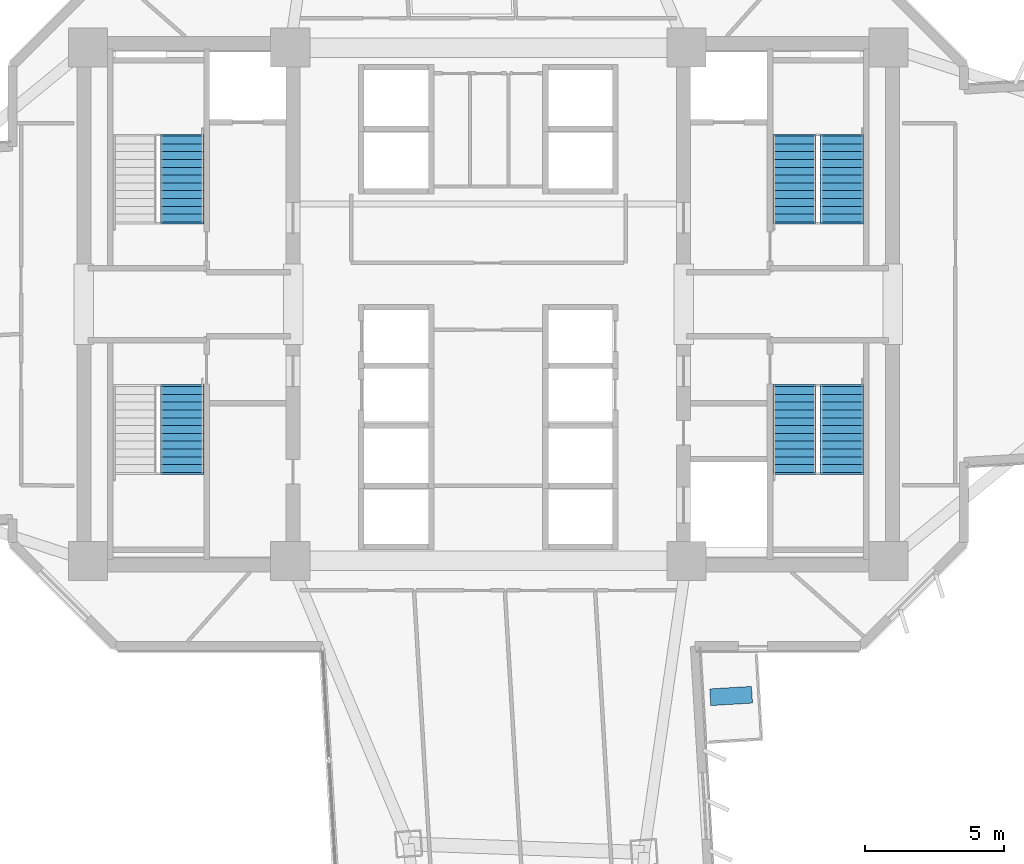
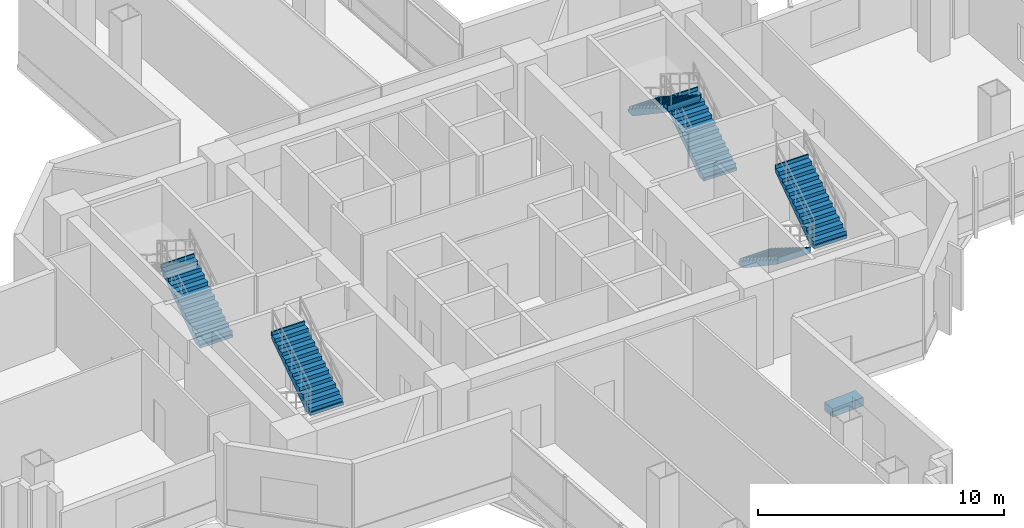
# One storey, part 10 of 15: 6 stair flights, 1 discrete accessory, 4 elements without a shape of their own.
"""IFC4 building model written with IfcOpenShell, lengths in metres."""

from ifc_helpers import new_model, si_unit, direction, frame, origin, origin_2d, place, context, subcontext, project, spatial, polyline, rectangle, outline, extrude, source, transform, mapped, material, type_object, element, aggregate, save


model = new_model("IFC4")

# Units and contexts
model_context = context("Model", 3, precision=1e-05, world=origin(), true_north=direction((0.0, 1.0)))
body_context = subcontext(model_context, "Body", "Model", "MODEL_VIEW")
ifc_project = project(units=[si_unit("LENGTHUNIT", "METRE"), si_unit("AREAUNIT", "SQUARE_METRE"), si_unit("VOLUMEUNIT", "CUBIC_METRE"), si_unit("PLANEANGLEUNIT", "RADIAN"), si_unit("MASSUNIT", "GRAM", prefix="KILO")], contexts=[model_context])

# Site, building, storey
site_placement = place(None, origin())
site = spatial("IfcSite", under=ifc_project, at=site_placement, CompositionType="ELEMENT")
building_placement = place(site_placement, origin())
building = spatial("IfcBuilding", under=site, at=building_placement, Name="Zahravan Cultural Tower", CompositionType="ELEMENT")
storey_placement = place(building_placement, frame((0.0, 0.0, 75.300048828125)))
storey = spatial("IfcBuildingStorey", under=building, at=storey_placement, Name="L16", CompositionType="ELEMENT", Elevation=75.300048828125)

# Stair, stair flight
ifc_material_1 = material(Name="Concrete C45/55", Category="concrete")
stair_type = type_object("IfcStairType", Name="STR-DL-1550-420", PredefinedType="HALF_TURN_STAIR", material=ifc_material_1)
stair_1_placement = place(storey_placement, origin())
stair_1 = element("IfcStair", 1, at=stair_1_placement, inside=storey, type_object=stair_type, Name="L16 West Core North Exit Stair ST-W1", PredefinedType="HALF_TURN_STAIR")
stair_flight_type = type_object("IfcStairFlightType", Name="FLG-DL-1550-420", PredefinedType="STRAIGHT", material=ifc_material_1)
stair_flight_1_placement = place(storey_placement, frame((25.02490234375, 29.949951171875, 0.0), z_axis=(0.0, 0.0, 1.0), x_axis=(0.0, 1.0, 0.0)))
stair_flight_1 = element("IfcStairFlight", 2, at=stair_flight_1_placement, type_object=stair_flight_type, Name="ST-W1 flight 1", NumberOfRisers=12, NumberOfTreads=11, PredefinedType="STRAIGHT", RiserHeight=0.175, TreadLength=0.28, context=body_context, shape_type="SweptSolid", body=[
    extrude(outline(polyline([(-0.06494140625, -0.139892578125), (-0.06494140625, 0.0), (0.0, 0.0), (0.0, 0.175048828125), (0.280029296875, 0.175048828125), (0.280029296875, 0.35009765625), (0.56005859375, 0.35009765625), (0.56005859375, 0.52490234375), (0.840087890625, 0.52490234375), (0.840087890625, 0.699951171875), (1.1201171875, 0.699951171875), (1.1201171875, 0.875), (1.39990234375, 0.875), (1.39990234375, 1.050048828125), (1.679931640625, 1.050048828125), (1.679931640625, 1.22509765625), (1.9599609375, 1.22509765625), (1.9599609375, 1.39990234375), (2.239990234375, 1.39990234375), (2.239990234375, 1.574951171875), (2.52001953125, 1.574951171875), (2.52001953125, 1.75), (2.800048828125, 1.75), (2.800048828125, 1.925048828125), (3.080078125, 1.925048828125), (3.080078125, 2.10009765625), (3.14501953125, 2.10009765625), (3.14501953125, 1.9501953125), (3.080078125, 1.748291015625), (0.28271484375, -0.139892578125), (-0.06494140625, -0.139892578125)])), frame((0.0, 0.77490234375, 0.0), z_axis=(0.0, -1.0, 0.0), x_axis=(1.0, 0.0, 0.0)), (0.0, 0.0, 1.0), 1.550048828125),
])
aggregate(stair_1, [stair_flight_1])

stair_2_placement = place(storey_placement, origin())
stair_2 = element("IfcStair", 3, at=stair_2_placement, inside=storey, type_object=stair_type, Name="L16 West Core South Exit Stair ST-W2", PredefinedType="HALF_TURN_STAIR")
stair_flight_2_placement = place(storey_placement, frame((25.02490234375, 20.969970703125, 2.099853515625), z_axis=(0.0, 0.0, 1.0), x_axis=(0.0, 1.0, 0.0)))
stair_flight_2 = element("IfcStairFlight", 4, at=stair_flight_2_placement, type_object=stair_flight_type, Name="ST-W2 flight 2", NumberOfRisers=12, NumberOfTreads=11, PredefinedType="STRAIGHT", RiserHeight=0.175, TreadLength=0.28, context=body_context, shape_type="SweptSolid", body=[
    extrude(outline(polyline([(-0.06494140625, -0.139892578125), (-0.06494140625, 0.0), (0.0, 0.0), (0.0, 0.175048828125), (0.280029296875, 0.175048828125), (0.280029296875, 0.35009765625), (0.56005859375, 0.35009765625), (0.56005859375, 0.52490234375), (0.840087890625, 0.52490234375), (0.840087890625, 0.699951171875), (1.1201171875, 0.699951171875), (1.1201171875, 0.875), (1.39990234375, 0.875), (1.39990234375, 1.050048828125), (1.679931640625, 1.050048828125), (1.679931640625, 1.22509765625), (1.9599609375, 1.22509765625), (1.9599609375, 1.39990234375), (2.239990234375, 1.39990234375), (2.239990234375, 1.574951171875), (2.52001953125, 1.574951171875), (2.52001953125, 1.75), (2.800048828125, 1.75), (2.800048828125, 1.925048828125), (3.080078125, 1.925048828125), (3.080078125, 2.10009765625), (3.14501953125, 2.10009765625), (3.14501953125, 1.9501953125), (3.080078125, 1.748291015625), (0.28271484375, -0.139892578125), (-0.06494140625, -0.139892578125)])), frame((0.0, 0.77490234375, 0.0), z_axis=(0.0, -1.0, 0.0), x_axis=(1.0, 0.0, 0.0)), (0.0, 0.0, 1.0), 1.550048828125),
])
aggregate(stair_2, [stair_flight_2])

# Stair, stair flights
stair_3_placement = place(storey_placement, origin())
stair_3 = element("IfcStair", 5, at=stair_3_placement, inside=storey, type_object=stair_type, Name="L16 East Core North Exit Stair ST-E1", PredefinedType="HALF_TURN_STAIR")
stair_flight_3_placement = place(storey_placement, frame((48.675048828125, 29.949951171875, 0.0), z_axis=(0.0, 0.0, 1.0), x_axis=(0.0, 1.0, 0.0)))
stair_flight_3 = element("IfcStairFlight", 6, at=stair_flight_3_placement, type_object=stair_flight_type, Name="ST-E1 flight 1", NumberOfRisers=12, NumberOfTreads=11, PredefinedType="STRAIGHT", RiserHeight=0.175, TreadLength=0.28, context=body_context, shape_type="SweptSolid", body=[
    extrude(outline(polyline([(-0.06494140625, -0.139892578125), (-0.06494140625, 0.0), (0.0, 0.0), (0.0, 0.175048828125), (0.280029296875, 0.175048828125), (0.280029296875, 0.35009765625), (0.56005859375, 0.35009765625), (0.56005859375, 0.52490234375), (0.840087890625, 0.52490234375), (0.840087890625, 0.699951171875), (1.1201171875, 0.699951171875), (1.1201171875, 0.875), (1.39990234375, 0.875), (1.39990234375, 1.050048828125), (1.679931640625, 1.050048828125), (1.679931640625, 1.22509765625), (1.9599609375, 1.22509765625), (1.9599609375, 1.39990234375), (2.239990234375, 1.39990234375), (2.239990234375, 1.574951171875), (2.52001953125, 1.574951171875), (2.52001953125, 1.75), (2.800048828125, 1.75), (2.800048828125, 1.925048828125), (3.080078125, 1.925048828125), (3.080078125, 2.10009765625), (3.14501953125, 2.10009765625), (3.14501953125, 1.9501953125), (3.080078125, 1.748291015625), (0.28271484375, -0.139892578125), (-0.06494140625, -0.139892578125)])), frame((0.0, 0.77490234375, 0.0), z_axis=(0.0, -1.0, 0.0), x_axis=(1.0, 0.0, 0.0)), (0.0, 0.0, 1.0), 1.550048828125),
])
stair_flight_4_placement = place(storey_placement, frame((46.97509765625, 33.030029296875, 2.099853515625), z_axis=(0.0, 0.0, 1.0), x_axis=(0.0, -1.0, 0.0)))
stair_flight_4 = element("IfcStairFlight", 7, at=stair_flight_4_placement, type_object=stair_flight_type, Name="ST-E1 flight 2", NumberOfRisers=12, NumberOfTreads=11, PredefinedType="STRAIGHT", RiserHeight=0.175, TreadLength=0.28, context=body_context, shape_type="SweptSolid", body=[
    extrude(outline(polyline([(-0.06494140625, -0.139892578125), (-0.06494140625, 0.0), (0.0, 0.0), (0.0, 0.175048828125), (0.280029296875, 0.175048828125), (0.280029296875, 0.35009765625), (0.56005859375, 0.35009765625), (0.56005859375, 0.52490234375), (0.840087890625, 0.52490234375), (0.840087890625, 0.699951171875), (1.1201171875, 0.699951171875), (1.1201171875, 0.875), (1.39990234375, 0.875), (1.39990234375, 1.050048828125), (1.679931640625, 1.050048828125), (1.679931640625, 1.22509765625), (1.9599609375, 1.22509765625), (1.9599609375, 1.39990234375), (2.239990234375, 1.39990234375), (2.239990234375, 1.574951171875), (2.52001953125, 1.574951171875), (2.52001953125, 1.75), (2.800048828125, 1.75), (2.800048828125, 1.925048828125), (3.080078125, 1.925048828125), (3.080078125, 2.10009765625), (3.14501953125, 2.10009765625), (3.14501953125, 1.9501953125), (3.080078125, 1.748291015625), (0.28271484375, -0.139892578125), (-0.06494140625, -0.139892578125)])), frame((0.0, 0.77490234375, 0.0), z_axis=(0.0, -1.0, 0.0), x_axis=(1.0, 0.0, 0.0)), (0.0, 0.0, 1.0), 1.550048828125),
])
aggregate(stair_3, [stair_flight_3, stair_flight_4])

stair_4_placement = place(storey_placement, origin())
stair_4 = element("IfcStair", 8, at=stair_4_placement, inside=storey, type_object=stair_type, Name="L16 East Core South Exit Stair ST-E2", PredefinedType="HALF_TURN_STAIR")
stair_flight_5_placement = place(storey_placement, frame((46.97509765625, 24.050048828125, 0.0), z_axis=(0.0, 0.0, 1.0), x_axis=(0.0, -1.0, 0.0)))
stair_flight_5 = element("IfcStairFlight", 9, at=stair_flight_5_placement, type_object=stair_flight_type, Name="ST-E2 flight 1", NumberOfRisers=12, NumberOfTreads=11, PredefinedType="STRAIGHT", RiserHeight=0.175, TreadLength=0.28, context=body_context, shape_type="SweptSolid", body=[
    extrude(outline(polyline([(-0.06494140625, -0.139892578125), (-0.06494140625, 0.0), (0.0, 0.0), (0.0, 0.175048828125), (0.280029296875, 0.175048828125), (0.280029296875, 0.35009765625), (0.56005859375, 0.35009765625), (0.56005859375, 0.52490234375), (0.840087890625, 0.52490234375), (0.840087890625, 0.699951171875), (1.1201171875, 0.699951171875), (1.1201171875, 0.875), (1.39990234375, 0.875), (1.39990234375, 1.050048828125), (1.679931640625, 1.050048828125), (1.679931640625, 1.22509765625), (1.9599609375, 1.22509765625), (1.9599609375, 1.39990234375), (2.239990234375, 1.39990234375), (2.239990234375, 1.574951171875), (2.52001953125, 1.574951171875), (2.52001953125, 1.75), (2.800048828125, 1.75), (2.800048828125, 1.925048828125), (3.080078125, 1.925048828125), (3.080078125, 2.10009765625), (3.14501953125, 2.10009765625), (3.14501953125, 1.9501953125), (3.080078125, 1.748291015625), (0.28271484375, -0.139892578125), (-0.06494140625, -0.139892578125)])), frame((0.0, 0.77490234375, 0.0), z_axis=(0.0, -1.0, 0.0), x_axis=(1.0, 0.0, 0.0)), (0.0, 0.0, 1.0), 1.550048828125),
])
stair_flight_6_placement = place(storey_placement, frame((48.675048828125, 20.969970703125, 2.099853515625), z_axis=(0.0, 0.0, 1.0), x_axis=(0.0, 1.0, 0.0)))
stair_flight_6 = element("IfcStairFlight", 10, at=stair_flight_6_placement, type_object=stair_flight_type, Name="ST-E2 flight 2", NumberOfRisers=12, NumberOfTreads=11, PredefinedType="STRAIGHT", RiserHeight=0.175, TreadLength=0.28, context=body_context, shape_type="SweptSolid", body=[
    extrude(outline(polyline([(-0.06494140625, -0.139892578125), (-0.06494140625, 0.0), (0.0, 0.0), (0.0, 0.175048828125), (0.280029296875, 0.175048828125), (0.280029296875, 0.35009765625), (0.56005859375, 0.35009765625), (0.56005859375, 0.52490234375), (0.840087890625, 0.52490234375), (0.840087890625, 0.699951171875), (1.1201171875, 0.699951171875), (1.1201171875, 0.875), (1.39990234375, 0.875), (1.39990234375, 1.050048828125), (1.679931640625, 1.050048828125), (1.679931640625, 1.22509765625), (1.9599609375, 1.22509765625), (1.9599609375, 1.39990234375), (2.239990234375, 1.39990234375), (2.239990234375, 1.574951171875), (2.52001953125, 1.574951171875), (2.52001953125, 1.75), (2.800048828125, 1.75), (2.800048828125, 1.925048828125), (3.080078125, 1.925048828125), (3.080078125, 2.10009765625), (3.14501953125, 2.10009765625), (3.14501953125, 1.9501953125), (3.080078125, 1.748291015625), (0.28271484375, -0.139892578125), (-0.06494140625, -0.139892578125)])), frame((0.0, 0.77490234375, 0.0), z_axis=(0.0, -1.0, 0.0), x_axis=(1.0, 0.0, 0.0)), (0.0, 0.0, 1.0), 1.550048828125),
])
aggregate(stair_4, [stair_flight_5, stair_flight_6])

# Discrete accessory
ifc_material_2 = material(Name="Planted soil and terracotta planter", Category="masonry")
discrete_accessory_type = type_object("IfcDiscreteAccessoryType", Name="ACC-PLANTER-TC", PredefinedType="USERDEFINED", material=ifc_material_2)
shared_shape = source(origin(), body_context, "Body", "SweptSolid", [
    extrude(rectangle(XDim=1.5, YDim=0.60009765625, at=origin_2d()), origin(), (0.0, 0.0, 1.0), 0.419921875),
])
discrete_accessory_placement = place(storey_placement, frame((44.705810546875, 12.954345703125, 0.0), z_axis=(0.0, 0.0, 1.0), x_axis=(0.998219065278, 0.05965482139, 0.0)))
element("IfcDiscreteAccessory", 11, at=discrete_accessory_placement, inside=storey, type_object=discrete_accessory_type, Name="L16 Terracotta Sculpture Planter SE", ObjectType="PLANTER", PredefinedType="USERDEFINED", context=body_context, shape_type="MappedRepresentation", body=[
    mapped(shared_shape, transform((0.0, 0.0, 0.0), x_axis=(1.0, 0.0, 0.0), y_axis=(0.0, 1.0, 0.0), z_axis=(0.0, 0.0, 1.0), scale=1.0)),
])

save(model, "model.ifc")
